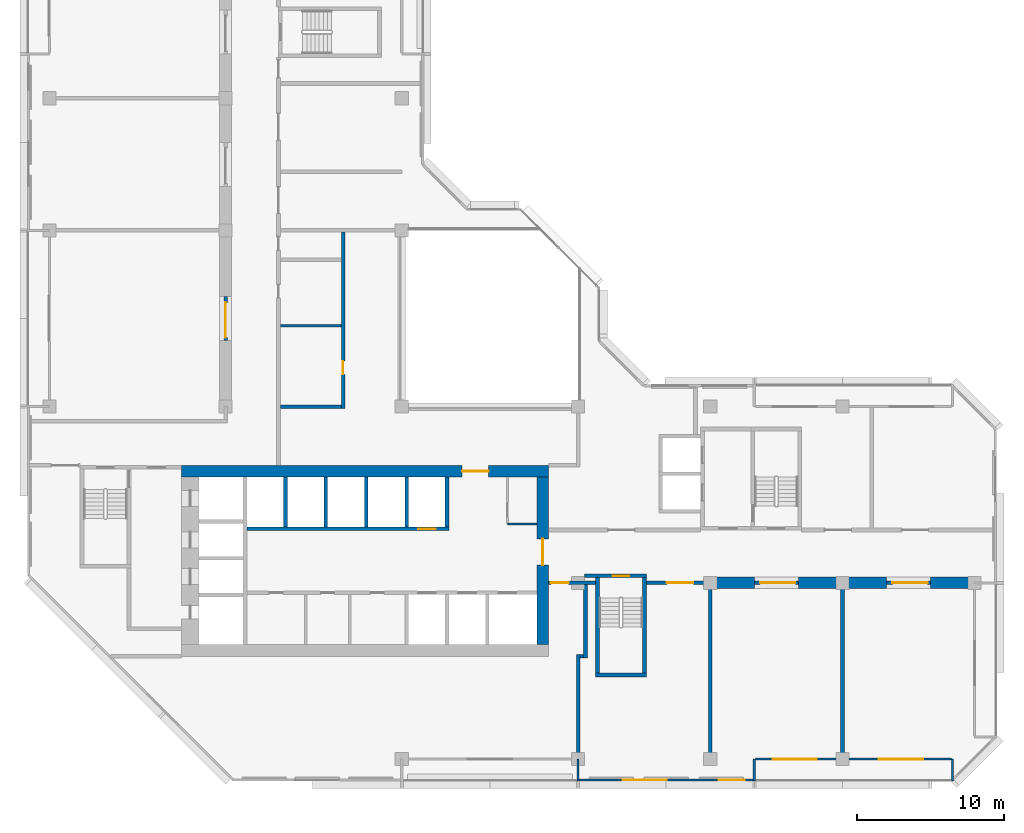
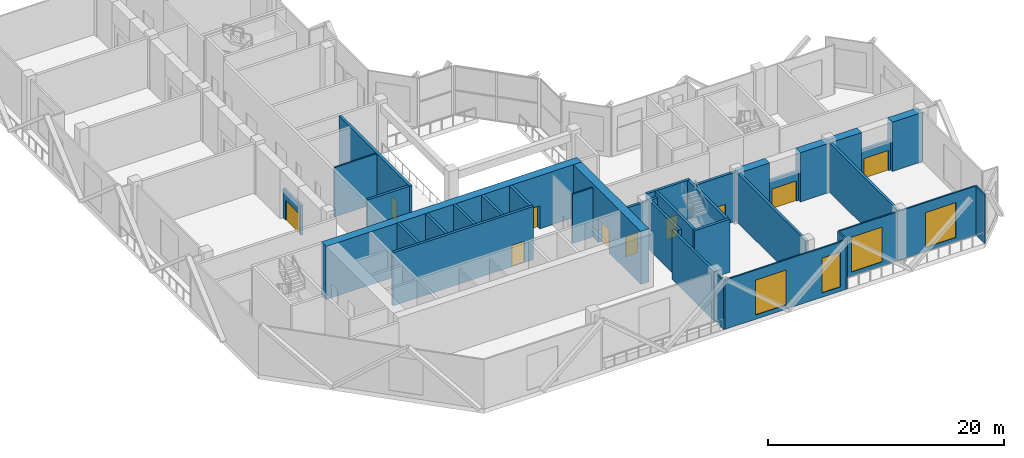
# One storey, part 5 of 11: 35 walls, 10 doors, 4 windows, 14 openings.
"""IFC4 building model written with IfcOpenShell, lengths in metres."""

from ifc_helpers import new_model, si_unit, direction, frame, frame_2d, origin, place, context, subcontext, project, spatial, rectangle, extrude, material, layer, layer_set, type_object, element, fill, save


model = new_model("IFC4")

# Units and contexts
model_context = context("Model", 3, precision=1e-05, world=origin(), true_north=direction((0.0, 1.0)))
body_context = subcontext(model_context, "Body", "Model", "MODEL_VIEW")
ifc_project = project(units=[si_unit("LENGTHUNIT", "METRE"), si_unit("AREAUNIT", "SQUARE_METRE"), si_unit("VOLUMEUNIT", "CUBIC_METRE"), si_unit("PLANEANGLEUNIT", "RADIAN"), si_unit("MASSUNIT", "GRAM", prefix="KILO")], contexts=[model_context])

# Site, building, storey
site_placement = place(None, origin())
site = spatial("IfcSite", under=ifc_project, at=site_placement, CompositionType="ELEMENT")
building_placement = place(site_placement, origin())
building = spatial("IfcBuilding", under=site, at=building_placement, Name="Chenar Terraces", CompositionType="ELEMENT")
storey_placement = place(building_placement, frame((0.0, 0.0, 206.14990234375)))
storey = spatial("IfcBuildingStorey", under=building, at=storey_placement, Name="L48", CompositionType="ELEMENT", Elevation=206.14990234375)

# Walls
ifc_material_1 = material(Name="Concrete C60/75", Category="concrete")
ifc_layer_1 = layer(ifc_material_1, 0.800048828125)
ifc_layer_set_1 = layer_set([ifc_layer_1], Name="Concrete C60/75")
wall_type_1 = type_object("IfcWallType", Name="Belt wall 800 Concrete C60/75", PredefinedType="SHEAR", material=ifc_layer_set_1)
wall_1_placement = place(storey_placement, frame((45.0, 12.0, 0.0), z_axis=(0.0, 0.0, 1.0), x_axis=(1.0, 0.0, 0.0)))
element("IfcWall", 1, at=wall_1_placement, inside=storey, type_object=wall_type_1, Name="Belt wall L48 A1", PredefinedType="SHEAR", context=body_context, shape_type="SweptSolid", body=[
    extrude(rectangle(XDim=3.0, YDim=0.800048828125, at=frame_2d((1.5, 0.0))), origin(), (0.0, 0.0, 1.0), 5.10009765625),
])
wall_2_placement = place(storey_placement, frame((51.0, 12.0, 0.0), z_axis=(0.0, 0.0, 1.0), x_axis=(1.0, 0.0, 0.0)))
element("IfcWall", 2, at=wall_2_placement, inside=storey, type_object=wall_type_1, Name="Belt wall L48 A1", PredefinedType="SHEAR", context=body_context, shape_type="SweptSolid", body=[
    extrude(rectangle(XDim=3.0, YDim=0.800048828125, at=frame_2d((1.5, 0.0))), origin(), (0.0, 0.0, 1.0), 5.10009765625),
])
wall_3_placement = place(storey_placement, frame((54.0, 12.0, 0.0), z_axis=(0.0, 0.0, 1.0), x_axis=(1.0, 0.0, 0.0)))
element("IfcWall", 3, at=wall_3_placement, inside=storey, type_object=wall_type_1, Name="Belt wall L48 A2", PredefinedType="SHEAR", context=body_context, shape_type="SweptSolid", body=[
    extrude(rectangle(XDim=3.0, YDim=0.800048828125, at=frame_2d((1.5, 0.0))), origin(), (0.0, 0.0, 1.0), 5.10009765625),
])
wall_4_placement = place(storey_placement, frame((60.0, 12.0, 0.0), z_axis=(0.0, 0.0, 1.0), x_axis=(1.0, 0.0, 0.0)))
element("IfcWall", 4, at=wall_4_placement, inside=storey, type_object=wall_type_1, Name="Belt wall L48 A2", PredefinedType="SHEAR", context=body_context, shape_type="SweptSolid", body=[
    extrude(rectangle(XDim=3.0, YDim=0.800048828125, at=frame_2d((1.5, 0.0))), origin(), (0.0, 0.0, 1.0), 5.10009765625),
])
ifc_material_2 = material(Name="Gypsum board on steel studs", Category="steel")
ifc_layer_2 = layer(ifc_material_2, 0.14990234375)
ifc_layer_set_2 = layer_set([ifc_layer_2], Name="Gypsum board on steel studs")
wall_type_2 = type_object("IfcWallType", Name="Core partition 150 gypsum board", PredefinedType="PARTITIONING", material=ifc_layer_set_2)
wall_5_placement = place(storey_placement, frame((31.199951171875, 16.0, 0.0), z_axis=(0.0, 0.0, 1.0), x_axis=(1.0, 0.0, 0.0)))
element("IfcWall", 5, at=wall_5_placement, inside=storey, type_object=wall_type_2, Name="Core partition CP1 vestibule room south wall", PredefinedType="PARTITIONING", context=body_context, shape_type="SweptSolid", body=[
    extrude(rectangle(XDim=2.0, YDim=0.14990234375, at=frame_2d((1.0, 0.0))), origin(), (0.0, 0.0, 1.0), 5.10009765625),
])

# Wall, opening, door
ifc_material_3 = material(Name="Concrete C60/75", Category="concrete")
ifc_layer_3 = layer(ifc_material_3, 0.25)
ifc_layer_set_3 = layer_set([ifc_layer_3], Name="Concrete C60/75")
wall_type_3 = type_object("IfcWallType", Name="Core wall 250 Concrete C60/75", PredefinedType="SHEAR", material=ifc_layer_set_3)
wall_6_placement = place(storey_placement, frame((13.449951171875, 15.675048828125, 0.0), z_axis=(0.0, 0.0, 1.0), x_axis=(1.0, 0.0, 0.0)))
wall_6 = element("IfcWall", 6, at=wall_6_placement, inside=storey, type_object=wall_type_3, Name="Core wall NF L48", PredefinedType="SHEAR", context=body_context, shape_type="SweptSolid", body=[
    extrude(rectangle(XDim=13.75, YDim=0.25, at=frame_2d((6.875, 0.0))), origin(), (0.0, 0.0, 1.0), 5.5),
])
opening_1_placement = place(wall_6_placement, frame((11.64990234375, 0.0, 0.0)))
opening_1 = element("IfcOpeningElement", 7, at=opening_1_placement, cuts=wall_6, Name="Opening DL48-LD4", PredefinedType="OPENING", context=body_context, shape_type="SweptSolid", body=[
    extrude(rectangle(XDim=1.199951171875, YDim=2.199951171875, at=frame_2d((0.60009765625, 1.10009765625))), frame((0.0, 0.135009765625, 0.0), z_axis=(0.0, -1.0, 0.0), x_axis=(1.0, 0.0, 0.0)), (0.0, 0.0, 1.0), 0.27001953125),
])
ifc_material_4 = material(Name="Stainless steel", Category="steel")
door_type_1 = type_object("IfcDoorType", Name="Lift landing door 1200 x 2200 sliding", OperationType="DOUBLE_DOOR_SLIDING", PredefinedType="DOOR", material=ifc_material_4)
door_1_placement = place(opening_1_placement, origin())
door_1 = element("IfcDoor", 8, at=door_1_placement, inside=storey, type_object=door_type_1, Name="Landing door M4", OperationType="DOUBLE_DOOR_SLIDING", OverallHeight=2.199951171875, OverallWidth=1.199951171875, PredefinedType="DOOR", context=body_context, shape_type="SweptSolid", body=[
    extrude(rectangle(XDim=1.199951171875, YDim=2.199951171875, at=frame_2d((0.60009765625, 1.10009765625))), frame((0.0, 0.02490234375, 0.0), z_axis=(0.0, -1.0, 0.0), x_axis=(1.0, 0.0, 0.0)), (0.0, 0.0, 1.0), 0.050048828125),
])
fill(opening_1, door_1)

# Walls
for number, where, z_axis, x_axis, name in (
    (9, (16.074951171875, 15.800048828125, 0.0), (0.0, 0.0, 1.0), (0.0, 1.0, 0.0), "Core wall NS0 L48"),
    (10, (18.824951171875, 15.800048828125, 0.0), (0.0, 0.0, 1.0), (0.0, 1.0, 0.0), "Core wall NS1 L48"),
    (11, (21.574951171875, 15.800048828125, 0.0), (0.0, 0.0, 1.0), (0.0, 1.0, 0.0), "Core wall NS2 L48"),
    (12, (24.324951171875, 15.800048828125, 0.0), (0.0, 0.0, 1.0), (0.0, 1.0, 0.0), "Core wall NS3 L48"),
    (13, (27.074951171875, 15.800048828125, 0.0), (0.0, 0.0, 1.0), (0.0, 1.0, 0.0), "Core wall NE L48"),
):
    element("IfcWall", number, at=place(storey_placement, frame(where, z_axis=z_axis, x_axis=x_axis)), inside=storey, type_object=wall_type_3, Name=name, PredefinedType="SHEAR", context=body_context, shape_type="SweptSolid", body=[
        extrude(rectangle(XDim=3.39990234375, YDim=0.25, at=frame_2d((1.699951171875, 0.0))), origin(), (0.0, 0.0, 1.0), 5.5),
    ])
wall_7_placement = place(storey_placement, frame((37.199951171875, 5.72509765625, 0.0), z_axis=(0.0, 0.0, 1.0), x_axis=(1.0, 0.0, 0.0)))
element("IfcWall", 14, at=wall_7_placement, inside=storey, type_object=wall_type_3, Name="Core wall ST2_S L48", PredefinedType="SHEAR", context=body_context, shape_type="SweptSolid", body=[
    extrude(rectangle(XDim=3.449951171875, YDim=0.25, at=frame_2d((1.72509765625, 0.0))), origin(), (0.0, 0.0, 1.0), 5.5),
])

# Wall, opening, door
wall_8_placement = place(storey_placement, frame((36.449951171875, 12.47509765625, 0.0), z_axis=(0.0, 0.0, 1.0), x_axis=(1.0, 0.0, 0.0)))
wall_8 = element("IfcWall", 15, at=wall_8_placement, inside=storey, type_object=wall_type_3, Name="Core wall ST2_N L48", PredefinedType="SHEAR", context=body_context, shape_type="SweptSolid", body=[
    extrude(rectangle(XDim=4.199951171875, YDim=0.25, at=frame_2d((2.10009765625, 0.0))), origin(), (0.0, 0.0, 1.0), 5.5),
])
opening_2_placement = place(wall_8_placement, frame((1.925048828125, 0.0, 0.0)))
opening_2 = element("IfcOpeningElement", 16, at=opening_2_placement, cuts=wall_8, Name="Opening DL48-C7", PredefinedType="OPENING", context=body_context, shape_type="SweptSolid", body=[
    extrude(rectangle(XDim=1.10009765625, YDim=2.199951171875, at=frame_2d((0.550048828125, 1.10009765625))), frame((0.0, 0.135009765625, 0.0), z_axis=(0.0, -1.0, 0.0), x_axis=(1.0, 0.0, 0.0)), (0.0, 0.0, 1.0), 0.27001953125),
])
ifc_material_5 = material(Name="Steel-framed fire-resisting door leaf", Category="steel")
door_type_2 = type_object("IfcDoorType", Name="Stair fire door FD60 1100 x 2200", OperationType="SINGLE_SWING_LEFT", PredefinedType="DOOR", material=ifc_material_5)
door_2_placement = place(opening_2_placement, frame((1.10009765625, 0.0, 0.0), z_axis=(0.0, 0.0, 1.0), x_axis=(-1.0, 0.0, 0.0)))
door_2 = element("IfcDoor", 17, at=door_2_placement, inside=storey, type_object=door_type_2, Name="Stair door DL48-C7", OperationType="SINGLE_SWING_RIGHT", OverallHeight=2.199951171875, OverallWidth=1.10009765625, PredefinedType="DOOR", context=body_context, shape_type="SweptSolid", body=[
    extrude(rectangle(XDim=1.10009765625, YDim=2.199951171875, at=frame_2d((0.550048828125, 1.10009765625))), frame((0.0, 0.02490234375, 0.0), z_axis=(0.0, -1.0, 0.0), x_axis=(1.0, 0.0, 0.0)), (0.0, 0.0, 1.0), 0.050048828125),
])
fill(opening_2, door_2)

# Walls
for number, where, z_axis, x_axis, name in (
    (18, (37.324951171875, 5.85009765625, 0.0), (0.0, 0.0, 1.0), (0.0, 1.0, 0.0), "Core wall ST2_W L48"),
    (19, (40.52490234375, 5.85009765625, 0.0), (0.0, 0.0, 1.0), (0.0, 1.0, 0.0), "Core wall ST2_E L48"),
):
    element("IfcWall", number, at=place(storey_placement, frame(where, z_axis=z_axis, x_axis=x_axis)), inside=storey, type_object=wall_type_3, Name=name, PredefinedType="SHEAR", context=body_context, shape_type="SweptSolid", body=[
        extrude(rectangle(XDim=6.5, YDim=0.25, at=frame_2d((3.25, 0.0))), origin(), (0.0, 0.0, 1.0), 5.5),
    ])

# Wall, opening, door
ifc_material_6 = material(Name="Concrete C60/75", Category="concrete")
ifc_layer_4 = layer(ifc_material_6, 0.800048828125)
ifc_layer_set_4 = layer_set([ifc_layer_4], Name="Concrete C60/75")
wall_type_4 = type_object("IfcWallType", Name="Core wall 800 Concrete C60/75", PredefinedType="SHEAR", material=ifc_layer_set_4)
wall_9_placement = place(storey_placement, frame((9.0, 19.60009765625, 0.0), z_axis=(0.0, 0.0, 1.0), x_axis=(1.0, 0.0, 0.0)))
wall_9 = element("IfcWall", 20, at=wall_9_placement, inside=storey, type_object=wall_type_4, Name="Core wall N L48", PredefinedType="SHEAR", context=body_context, shape_type="SweptSolid", body=[
    extrude(rectangle(XDim=25.0, YDim=0.800048828125, at=frame_2d((12.5, 0.0))), origin(), (0.0, 0.0, 1.0), 5.5),
])
opening_3_placement = place(wall_9_placement, frame((19.10009765625, 0.0, 0.0)))
opening_3 = element("IfcOpeningElement", 21, at=opening_3_placement, cuts=wall_9, Name="Opening DL48-C2", PredefinedType="OPENING", context=body_context, shape_type="SweptSolid", body=[
    extrude(rectangle(XDim=1.800048828125, YDim=2.39990234375, at=frame_2d((0.89990234375, 1.199951171875))), frame((0.0, 0.409912109375, 0.0), z_axis=(0.0, -1.0, 0.0), x_axis=(1.0, 0.0, 0.0)), (0.0, 0.0, 1.0), 0.820068359375),
])
ifc_material_7 = material(Name="Steel-framed fire-resisting door leaf", Category="steel")
door_type_3 = type_object("IfcDoorType", Name="Core entrance double fire door FD60 1800 x 2400", OperationType="DOUBLE_DOOR_SINGLE_SWING", PredefinedType="DOOR", material=ifc_material_7)
door_3_placement = place(opening_3_placement, frame((1.800048828125, 0.0, 0.0), z_axis=(0.0, 0.0, 1.0), x_axis=(-1.0, 0.0, 0.0)))
door_3 = element("IfcDoor", 22, at=door_3_placement, inside=storey, type_object=door_type_3, Name="Core door DL48-C2", OperationType="DOUBLE_DOOR_SINGLE_SWING", OverallHeight=2.39990234375, OverallWidth=1.800048828125, PredefinedType="DOOR", context=body_context, shape_type="SweptSolid", body=[
    extrude(rectangle(XDim=1.800048828125, YDim=2.39990234375, at=frame_2d((0.89990234375, 1.199951171875))), frame((0.0, 0.02490234375, 0.0), z_axis=(0.0, -1.0, 0.0), x_axis=(1.0, 0.0, 0.0)), (0.0, 0.0, 1.0), 0.050048828125),
])
fill(opening_3, door_3)

wall_10_placement = place(storey_placement, frame((33.60009765625, 7.800048828125, 0.0), z_axis=(0.0, 0.0, 1.0), x_axis=(0.0, 1.0, 0.0)))
wall_10 = element("IfcWall", 23, at=wall_10_placement, inside=storey, type_object=wall_type_4, Name="Core wall E L48", PredefinedType="SHEAR", context=body_context, shape_type="SweptSolid", body=[
    extrude(rectangle(XDim=11.39990234375, YDim=0.800048828125, at=frame_2d((5.699951171875, 0.0))), origin(), (0.0, 0.0, 1.0), 5.5),
])
opening_4_placement = place(wall_10_placement, frame((5.39990234375, 0.0, 0.0)))
opening_4 = element("IfcOpeningElement", 24, at=opening_4_placement, cuts=wall_10, Name="Opening DL48-C1", PredefinedType="OPENING", context=body_context, shape_type="SweptSolid", body=[
    extrude(rectangle(XDim=1.800048828125, YDim=2.39990234375, at=frame_2d((0.89990234375, 1.199951171875))), frame((0.0, 0.409912109375, 0.0), z_axis=(0.0, -1.0, 0.0), x_axis=(1.0, 0.0, 0.0)), (0.0, 0.0, 1.0), 0.820068359375),
])
door_4_placement = place(opening_4_placement, origin())
door_4 = element("IfcDoor", 25, at=door_4_placement, inside=storey, type_object=door_type_3, Name="Core door DL48-C1", OperationType="DOUBLE_DOOR_SINGLE_SWING", OverallHeight=2.39990234375, OverallWidth=1.800048828125, PredefinedType="DOOR", context=body_context, shape_type="SweptSolid", body=[
    extrude(rectangle(XDim=1.800048828125, YDim=2.39990234375, at=frame_2d((0.89990234375, 1.199951171875))), frame((0.0, 0.02490234375, 0.0), z_axis=(0.0, -1.0, 0.0), x_axis=(1.0, 0.0, 0.0)), (0.0, 0.0, 1.0), 0.050048828125),
])
fill(opening_4, door_4)

# Wall, openings, windows
ifc_material_8 = material(Name="Aluminium framed glazing", Category="aluminium")
ifc_layer_5 = layer(ifc_material_8, 0.14990234375)
ifc_layer_set_5 = layer_set([ifc_layer_5], Name="Aluminium framed glazing")
wall_type_5 = type_object("IfcWallType", Name="Glazed flush facade wall 150", PredefinedType="SOLIDWALL", material=ifc_layer_set_5)
wall_11_placement = place(storey_placement, frame((36.074951171875, -1.425048828125, 0.0), z_axis=(0.0, 0.0, 1.0), x_axis=(1.0, 0.0, 0.0)))
wall_11 = element("IfcWall", 26, at=wall_11_placement, inside=storey, type_object=wall_type_5, Name="Glazed flush facade wall", PredefinedType="SOLIDWALL", context=body_context, shape_type="SweptSolid", body=[
    extrude(rectangle(XDim=11.85009765625, YDim=0.14990234375, at=frame_2d((5.925048828125, 0.0))), origin(), (0.0, 0.0, 1.0), 5.10009765625),
])
opening_5_placement = place(wall_11_placement, frame((2.96240234375, 0.0, 0.449951171875)))
opening_5 = element("IfcOpeningElement", 27, at=opening_5_placement, cuts=wall_11, Name="Opening W300x360", PredefinedType="OPENING", context=body_context, shape_type="SweptSolid", body=[
    extrude(rectangle(XDim=3.0, YDim=3.60009765625, at=frame_2d((1.5, 1.800048828125))), frame((0.0, 0.0849609375, 0.0), z_axis=(0.0, -1.0, 0.0), x_axis=(1.0, 0.0, 0.0)), (0.0, 0.0, 1.0), 0.169921875),
])
opening_6_placement = place(wall_11_placement, frame((9.487548828125, 0.0, 0.449951171875)))
opening_6 = element("IfcOpeningElement", 28, at=opening_6_placement, cuts=wall_11, Name="Opening W180x360", PredefinedType="OPENING", context=body_context, shape_type="SweptSolid", body=[
    extrude(rectangle(XDim=1.800048828125, YDim=3.60009765625, at=frame_2d((0.89990234375, 1.800048828125))), frame((0.0, 0.0849609375, 0.0), z_axis=(0.0, -1.0, 0.0), x_axis=(1.0, 0.0, 0.0)), (0.0, 0.0, 1.0), 0.169921875),
])
ifc_material_9 = material(Name="Low emissivity double glazing, aluminium frame", Category="aluminium")
window_type_1 = type_object("IfcWindowType", Name="Fixed light 1800 x 3600", PartitioningType="SINGLE_PANEL", PredefinedType="WINDOW", material=ifc_material_9)
window_1_placement = place(opening_6_placement, origin())
window_1 = element("IfcWindow", 29, at=window_1_placement, inside=storey, type_object=window_type_1, Name="Window", OverallHeight=3.60009765625, OverallWidth=1.800048828125, PartitioningType="SINGLE_PANEL", PredefinedType="WINDOW", context=body_context, shape_type="SweptSolid", body=[
    extrude(rectangle(XDim=1.800048828125, YDim=3.60009765625, at=frame_2d((0.89990234375, 1.800048828125))), frame((0.0, 0.030029296875, 0.0), z_axis=(0.0, -1.0, 0.0), x_axis=(1.0, 0.0, 0.0)), (0.0, 0.0, 1.0), 0.06005859375),
])
fill(opening_6, window_1)
ifc_material_10 = material(Name="Low emissivity double glazing, aluminium frame", Category="aluminium")
window_type_2 = type_object("IfcWindowType", Name="Fixed light 3000 x 3600", PartitioningType="SINGLE_PANEL", PredefinedType="WINDOW", material=ifc_material_10)
window_2_placement = place(opening_5_placement, origin())
window_2 = element("IfcWindow", 30, at=window_2_placement, inside=storey, type_object=window_type_2, Name="Window", OverallHeight=3.60009765625, OverallWidth=3.0, PartitioningType="SINGLE_PANEL", PredefinedType="WINDOW", context=body_context, shape_type="SweptSolid", body=[
    extrude(rectangle(XDim=3.0, YDim=3.60009765625, at=frame_2d((1.5, 1.800048828125))), frame((0.0, 0.030029296875, 0.0), z_axis=(0.0, -1.0, 0.0), x_axis=(1.0, 0.0, 0.0)), (0.0, 0.0, 1.0), 0.06005859375),
])
fill(opening_5, window_2)

ifc_material_11 = material(Name="Aluminium framed glazing", Category="aluminium")
ifc_layer_6 = layer(ifc_material_11, 0.14990234375)
ifc_layer_set_6 = layer_set([ifc_layer_6], Name="Aluminium framed glazing")
wall_type_6 = type_object("IfcWallType", Name="Glazed loggia back wall 150", PredefinedType="SOLIDWALL", material=ifc_layer_set_6)
wall_12_placement = place(storey_placement, frame((48.074951171875, 0.0, 0.0), z_axis=(0.0, 0.0, 1.0), x_axis=(1.0, 0.0, 0.0)))
wall_12 = element("IfcWall", 31, at=wall_12_placement, inside=storey, type_object=wall_type_6, Name="Glazed loggia back wall", PredefinedType="SOLIDWALL", context=body_context, shape_type="SweptSolid", body=[
    extrude(rectangle(XDim=13.35009765625, YDim=0.14990234375, at=frame_2d((6.675048828125, 0.0))), origin(), (0.0, 0.0, 1.0), 5.10009765625),
])
opening_7_placement = place(wall_12_placement, frame((1.1875, 0.0, 0.449951171875)))
opening_7 = element("IfcOpeningElement", 32, at=opening_7_placement, cuts=wall_12, Name="Opening W300x360", PredefinedType="OPENING", context=body_context, shape_type="SweptSolid", body=[
    extrude(rectangle(XDim=3.0, YDim=3.60009765625, at=frame_2d((1.5, 1.800048828125))), frame((0.0, 0.0849609375, 0.0), z_axis=(0.0, -1.0, 0.0), x_axis=(1.0, 0.0, 0.0)), (0.0, 0.0, 1.0), 0.169921875),
])
opening_8_placement = place(wall_12_placement, frame((8.41259765625, 0.0, 0.449951171875)))
opening_8 = element("IfcOpeningElement", 33, at=opening_8_placement, cuts=wall_12, Name="Opening W300x360", PredefinedType="OPENING", context=body_context, shape_type="SweptSolid", body=[
    extrude(rectangle(XDim=3.0, YDim=3.60009765625, at=frame_2d((1.5, 1.800048828125))), frame((0.0, 0.0849609375, 0.0), z_axis=(0.0, -1.0, 0.0), x_axis=(1.0, 0.0, 0.0)), (0.0, 0.0, 1.0), 0.169921875),
])
window_3_placement = place(opening_7_placement, origin())
window_3 = element("IfcWindow", 34, at=window_3_placement, inside=storey, type_object=window_type_2, Name="Window", OverallHeight=3.60009765625, OverallWidth=3.0, PartitioningType="SINGLE_PANEL", PredefinedType="WINDOW", context=body_context, shape_type="SweptSolid", body=[
    extrude(rectangle(XDim=3.0, YDim=3.60009765625, at=frame_2d((1.5, 1.800048828125))), frame((0.0, 0.030029296875, 0.0), z_axis=(0.0, -1.0, 0.0), x_axis=(1.0, 0.0, 0.0)), (0.0, 0.0, 1.0), 0.06005859375),
])
fill(opening_7, window_3)
window_4_placement = place(opening_8_placement, origin())
window_4 = element("IfcWindow", 35, at=window_4_placement, inside=storey, type_object=window_type_2, Name="Window", OverallHeight=3.60009765625, OverallWidth=3.0, PartitioningType="SINGLE_PANEL", PredefinedType="WINDOW", context=body_context, shape_type="SweptSolid", body=[
    extrude(rectangle(XDim=3.0, YDim=3.60009765625, at=frame_2d((1.5, 1.800048828125))), frame((0.0, 0.030029296875, 0.0), z_axis=(0.0, -1.0, 0.0), x_axis=(1.0, 0.0, 0.0)), (0.0, 0.0, 1.0), 0.06005859375),
])
fill(opening_8, window_4)

# Walls
ifc_material_12 = material(Name="Terracotta cladding on insulated backing", Category="masonry")
ifc_layer_7 = layer(ifc_material_12, 0.14990234375)
ifc_layer_set_7 = layer_set([ifc_layer_7], Name="Terracotta cladding on insulated backing")
wall_type_7 = type_object("IfcWallType", Name="Loggia return wall 150", PredefinedType="SOLIDWALL", material=ifc_layer_set_7)
for number, where, z_axis, x_axis, name in (
    (36, (36.0, -1.5, 0.0), (0.0, 0.0, 1.0), (0.0, 1.0, 0.0), "Loggia return wall"),
    (37, (48.0, -1.5, 0.0), (0.0, 0.0, 1.0), (0.0, 1.0, 0.0), "Loggia return wall"),
    (38, (61.5, -1.5, 0.0), (0.0, 0.0, 1.0), (0.0, 1.0, 0.0), "Loggia return wall"),
):
    element("IfcWall", number, at=place(storey_placement, frame(where, z_axis=z_axis, x_axis=x_axis)), inside=storey, type_object=wall_type_7, Name=name, PredefinedType="SOLIDWALL", context=body_context, shape_type="SweptSolid", body=[
        extrude(rectangle(XDim=1.5, YDim=0.14990234375, at=frame_2d((0.75, 0.0))), origin(), (0.0, 0.0, 1.0), 5.10009765625),
    ])

# Wall, opening, door
ifc_material_13 = material(Name="Fire-board and steel stud wall with mineral wool", Category="steel")
ifc_layer_8 = layer(ifc_material_13, 0.25)
ifc_layer_set_8 = layer_set([ifc_layer_8], Name="Fire-board and steel stud wall with mineral wool")
wall_type_8 = type_object("IfcWallType", Name="Refuge compartment wall 250", PredefinedType="PARTITIONING", material=ifc_layer_set_8)
wall_13_placement = place(storey_placement, frame((12.0, 28.4990234375, 0.0), z_axis=(0.0, 0.0, 1.0), x_axis=(0.0, 1.0, 0.0)))
wall_13 = element("IfcWall", 39, at=wall_13_placement, inside=storey, type_object=wall_type_8, Name="Partition L48-008", PredefinedType="PARTITIONING", context=body_context, shape_type="SweptSolid", body=[
    extrude(rectangle(XDim=3.001953125, YDim=0.25, at=frame_2d((1.5009765625, 0.0))), origin(), (0.0, 0.0, 1.0), 3.050048828125),
])
opening_9_placement = place(wall_13_placement, frame((0.200927734375, 0.0, 0.0)))
opening_9 = element("IfcOpeningElement", 40, at=opening_9_placement, cuts=wall_13, Name="Opening DL48-12", PredefinedType="OPENING", context=body_context, shape_type="SweptSolid", body=[
    extrude(rectangle(XDim=2.39990234375, YDim=2.10009765625, at=frame_2d((1.199951171875, 1.050048828125))), frame((0.0, 0.135009765625, 0.0), z_axis=(0.0, -1.0, 0.0), x_axis=(1.0, 0.0, 0.0)), (0.0, 0.0, 1.0), 0.27001953125),
])
ifc_material_14 = material(Name="Steel-framed fire-resisting door leaf", Category="steel")
door_type_4 = type_object("IfcDoorType", Name="Fire double door FD120 2400 x 2100", OperationType="DOUBLE_DOOR_SINGLE_SWING", PredefinedType="DOOR", material=ifc_material_14)
door_5_placement = place(opening_9_placement, origin())
door_5 = element("IfcDoor", 41, at=door_5_placement, inside=storey, type_object=door_type_4, Name="Door DL48-12", OperationType="DOUBLE_DOOR_SINGLE_SWING", OverallHeight=2.10009765625, OverallWidth=2.39990234375, PredefinedType="DOOR", context=body_context, shape_type="SweptSolid", body=[
    extrude(rectangle(XDim=2.39990234375, YDim=2.10009765625, at=frame_2d((1.199951171875, 1.050048828125))), frame((0.0, 0.02490234375, 0.0), z_axis=(0.0, -1.0, 0.0), x_axis=(1.0, 0.0, 0.0)), (0.0, 0.0, 1.0), 0.050048828125),
])
fill(opening_9, door_5)

# Wall
wall_14_placement = place(storey_placement, frame((15.72509765625, 24.0, 0.0), z_axis=(0.0, 0.0, 1.0), x_axis=(1.0, 0.0, 0.0)))
element("IfcWall", 42, at=wall_14_placement, inside=storey, type_object=wall_type_8, Name="Partition L48-017", PredefinedType="PARTITIONING", context=body_context, shape_type="SweptSolid", body=[
    extrude(rectangle(XDim=4.14990234375, YDim=0.25, at=frame_2d((2.074951171875, 0.0))), origin(), (0.0, 0.0, 1.0), 5.10009765625),
])

# Wall, opening, door
wall_15_placement = place(storey_placement, frame((20.0, 23.875, 0.0), z_axis=(0.0, 0.0, 1.0), x_axis=(0.0, 1.0, 0.0)))
wall_15 = element("IfcWall", 43, at=wall_15_placement, inside=storey, type_object=wall_type_8, Name="Partition L48-025", PredefinedType="PARTITIONING", context=body_context, shape_type="SweptSolid", body=[
    extrude(rectangle(XDim=12.0, YDim=0.25, at=frame_2d((6.0, 0.0))), origin(), (0.0, 0.0, 1.0), 5.10009765625),
])
opening_10_placement = place(wall_15_placement, frame((2.324951171875, 0.0, 0.0)))
opening_10 = element("IfcOpeningElement", 44, at=opening_10_placement, cuts=wall_15, Name="Opening DL48-21", PredefinedType="OPENING", context=body_context, shape_type="SweptSolid", body=[
    extrude(rectangle(XDim=0.89990234375, YDim=2.10009765625, at=frame_2d((0.449951171875, 1.050048828125))), frame((0.0, 0.135009765625, 0.0), z_axis=(0.0, -1.0, 0.0), x_axis=(1.0, 0.0, 0.0)), (0.0, 0.0, 1.0), 0.27001953125),
])
ifc_material_15 = material(Name="Steel-framed fire-resisting door leaf", Category="steel")
door_type_5 = type_object("IfcDoorType", Name="Fire door FD120 900 x 2100", OperationType="SINGLE_SWING_LEFT", PredefinedType="DOOR", material=ifc_material_15)
door_6_placement = place(opening_10_placement, origin())
door_6 = element("IfcDoor", 45, at=door_6_placement, inside=storey, type_object=door_type_5, Name="Door DL48-21", OperationType="SINGLE_SWING_LEFT", OverallHeight=2.10009765625, OverallWidth=0.89990234375, PredefinedType="DOOR", context=body_context, shape_type="SweptSolid", body=[
    extrude(rectangle(XDim=0.89990234375, YDim=2.10009765625, at=frame_2d((0.449951171875, 1.050048828125))), frame((0.0, 0.02490234375, 0.0), z_axis=(0.0, -1.0, 0.0), x_axis=(1.0, 0.0, 0.0)), (0.0, 0.0, 1.0), 0.050048828125),
])
fill(opening_10, door_6)

wall_16_placement = place(storey_placement, frame((34.0, 12.0, 0.0), z_axis=(0.0, 0.0, 1.0), x_axis=(1.0, 0.0, 0.0)))
wall_16 = element("IfcWall", 46, at=wall_16_placement, inside=storey, type_object=wall_type_8, Name="Partition L48-026", PredefinedType="PARTITIONING", context=body_context, shape_type="SweptSolid", body=[
    extrude(rectangle(XDim=3.199951171875, YDim=0.25, at=frame_2d((1.60009765625, 0.0))), origin(), (0.0, 0.0, 1.0), 5.10009765625),
])
opening_11_placement = place(wall_16_placement, frame((0.14990234375, 0.0, 0.0)))
opening_11 = element("IfcOpeningElement", 47, at=opening_11_placement, cuts=wall_16, Name="Opening DL48-18", PredefinedType="OPENING", context=body_context, shape_type="SweptSolid", body=[
    extrude(rectangle(XDim=1.199951171875, YDim=2.10009765625, at=frame_2d((0.60009765625, 1.050048828125))), frame((0.0, 0.135009765625, 0.0), z_axis=(0.0, -1.0, 0.0), x_axis=(1.0, 0.0, 0.0)), (0.0, 0.0, 1.0), 0.27001953125),
])
ifc_material_16 = material(Name="Steel-framed fire-resisting door leaf", Category="steel")
door_type_6 = type_object("IfcDoorType", Name="Fire door FD120 1200 x 2100", OperationType="SINGLE_SWING_LEFT", PredefinedType="DOOR", material=ifc_material_16)
door_7_placement = place(opening_11_placement, frame((1.199951171875, 0.0, 0.0), z_axis=(0.0, 0.0, 1.0), x_axis=(-1.0, 0.0, 0.0)))
door_7 = element("IfcDoor", 48, at=door_7_placement, inside=storey, type_object=door_type_6, Name="Door DL48-18", OperationType="SINGLE_SWING_LEFT", OverallHeight=2.10009765625, OverallWidth=1.199951171875, PredefinedType="DOOR", context=body_context, shape_type="SweptSolid", body=[
    extrude(rectangle(XDim=1.199951171875, YDim=2.10009765625, at=frame_2d((0.60009765625, 1.050048828125))), frame((0.0, 0.02490234375, 0.0), z_axis=(0.0, -1.0, 0.0), x_axis=(1.0, 0.0, 0.0)), (0.0, 0.0, 1.0), 0.050048828125),
])
fill(opening_11, door_7)

# Walls
wall_17_placement = place(storey_placement, frame((36.0, 0.0, 0.0), z_axis=(0.0, 0.0, 1.0), x_axis=(0.0, 1.0, 0.0)))
element("IfcWall", 49, at=wall_17_placement, inside=storey, type_object=wall_type_8, Name="Partition L48-029", PredefinedType="PARTITIONING", context=body_context, shape_type="SweptSolid", body=[
    extrude(rectangle(XDim=7.125, YDim=0.25, at=frame_2d((3.5625, 0.0))), origin(), (0.0, 0.0, 1.0), 5.10009765625),
])
wall_18_placement = place(storey_placement, frame((36.125, 7.0, 0.0), z_axis=(0.0, 0.0, 1.0), x_axis=(1.0, 0.0, 0.0)))
element("IfcWall", 50, at=wall_18_placement, inside=storey, type_object=wall_type_8, Name="Partition L48-031", PredefinedType="PARTITIONING", context=body_context, shape_type="SweptSolid", body=[
    extrude(rectangle(XDim=0.25, YDim=0.25, at=frame_2d((0.125, 0.0))), origin(), (0.0, 0.0, 1.0), 5.10009765625),
])
wall_19_placement = place(storey_placement, frame((36.5, 6.875, 0.0), z_axis=(0.0, 0.0, 1.0), x_axis=(0.0, 1.0, 0.0)))
element("IfcWall", 51, at=wall_19_placement, inside=storey, type_object=wall_type_8, Name="Partition L48-032", PredefinedType="PARTITIONING", context=body_context, shape_type="SweptSolid", body=[
    extrude(rectangle(XDim=5.0, YDim=0.25, at=frame_2d((2.5, 0.0))), origin(), (0.0, 0.0, 1.0), 5.10009765625),
])

# Wall, opening, door
wall_20_placement = place(storey_placement, frame((40.64990234375, 12.0, 0.0), z_axis=(0.0, 0.0, 1.0), x_axis=(1.0, 0.0, 0.0)))
wall_20 = element("IfcWall", 52, at=wall_20_placement, inside=storey, type_object=wall_type_8, Name="Partition L48-033", PredefinedType="PARTITIONING", context=body_context, shape_type="SweptSolid", body=[
    extrude(rectangle(XDim=4.22509765625, YDim=0.25, at=frame_2d((2.112548828125, 0.0))), origin(), (0.0, 0.0, 1.0), 5.10009765625),
])
opening_12_placement = place(wall_20_placement, frame((1.39990234375, 0.0, 0.0)))
opening_12 = element("IfcOpeningElement", 53, at=opening_12_placement, cuts=wall_20, Name="Opening DL48-4", PredefinedType="OPENING", context=body_context, shape_type="SweptSolid", body=[
    extrude(rectangle(XDim=1.800048828125, YDim=2.10009765625, at=frame_2d((0.89990234375, 1.050048828125))), frame((0.0, 0.135009765625, 0.0), z_axis=(0.0, -1.0, 0.0), x_axis=(1.0, 0.0, 0.0)), (0.0, 0.0, 1.0), 0.27001953125),
])
ifc_material_17 = material(Name="Steel-framed fire-resisting door leaf", Category="steel")
door_type_7 = type_object("IfcDoorType", Name="Fire double door FD120 1800 x 2100", OperationType="DOUBLE_DOOR_SINGLE_SWING", PredefinedType="DOOR", material=ifc_material_17)
door_8_placement = place(opening_12_placement, frame((1.800048828125, 0.0, 0.0), z_axis=(0.0, 0.0, 1.0), x_axis=(-1.0, 0.0, 0.0)))
door_8 = element("IfcDoor", 54, at=door_8_placement, inside=storey, type_object=door_type_7, Name="Door DL48-4", OperationType="DOUBLE_DOOR_SINGLE_SWING", OverallHeight=2.10009765625, OverallWidth=1.800048828125, PredefinedType="DOOR", context=body_context, shape_type="SweptSolid", body=[
    extrude(rectangle(XDim=1.800048828125, YDim=2.10009765625, at=frame_2d((0.89990234375, 1.050048828125))), frame((0.0, 0.02490234375, 0.0), z_axis=(0.0, -1.0, 0.0), x_axis=(1.0, 0.0, 0.0)), (0.0, 0.0, 1.0), 0.050048828125),
])
fill(opening_12, door_8)

# Wall
wall_21_placement = place(storey_placement, frame((45.0, 0.0, 0.0), z_axis=(0.0, 0.0, 1.0), x_axis=(0.0, 1.0, 0.0)))
element("IfcWall", 55, at=wall_21_placement, inside=storey, type_object=wall_type_8, Name="Partition L48-035", PredefinedType="PARTITIONING", context=body_context, shape_type="SweptSolid", body=[
    extrude(rectangle(XDim=12.125, YDim=0.25, at=frame_2d((6.0625, 0.0))), origin(), (0.0, 0.0, 1.0), 5.10009765625),
])

# Wall, opening, door
wall_22_placement = place(storey_placement, frame((47.9990234375, 12.0, 0.0), z_axis=(0.0, 0.0, 1.0), x_axis=(1.0, 0.0, 0.0)))
wall_22 = element("IfcWall", 56, at=wall_22_placement, inside=storey, type_object=wall_type_8, Name="Partition L48-036", PredefinedType="PARTITIONING", context=body_context, shape_type="SweptSolid", body=[
    extrude(rectangle(XDim=3.001953125, YDim=0.25, at=frame_2d((1.5009765625, 0.0))), origin(), (0.0, 0.0, 1.0), 3.050048828125),
])
opening_13_placement = place(wall_22_placement, frame((0.40087890625, 0.0, 0.0)))
opening_13 = element("IfcOpeningElement", 57, at=opening_13_placement, cuts=wall_22, Name="Opening DL48-5", PredefinedType="OPENING", context=body_context, shape_type="SweptSolid", body=[
    extrude(rectangle(XDim=2.39990234375, YDim=2.10009765625, at=frame_2d((1.199951171875, 1.050048828125))), frame((0.0, 0.135009765625, 0.0), z_axis=(0.0, -1.0, 0.0), x_axis=(1.0, 0.0, 0.0)), (0.0, 0.0, 1.0), 0.27001953125),
])
door_9_placement = place(opening_13_placement, frame((2.39990234375, 0.0, 0.0), z_axis=(0.0, 0.0, 1.0), x_axis=(-1.0, 0.0, 0.0)))
door_9 = element("IfcDoor", 58, at=door_9_placement, inside=storey, type_object=door_type_4, Name="Door DL48-5", OperationType="DOUBLE_DOOR_SINGLE_SWING", OverallHeight=2.10009765625, OverallWidth=2.39990234375, PredefinedType="DOOR", context=body_context, shape_type="SweptSolid", body=[
    extrude(rectangle(XDim=2.39990234375, YDim=2.10009765625, at=frame_2d((1.199951171875, 1.050048828125))), frame((0.0, 0.02490234375, 0.0), z_axis=(0.0, -1.0, 0.0), x_axis=(1.0, 0.0, 0.0)), (0.0, 0.0, 1.0), 0.050048828125),
])
fill(opening_13, door_9)

# Wall
wall_23_placement = place(storey_placement, frame((54.0, 0.073974609375, 0.0), z_axis=(0.0, 0.0, 1.0), x_axis=(0.0, 1.0, 0.0)))
element("IfcWall", 59, at=wall_23_placement, inside=storey, type_object=wall_type_8, Name="Partition L48-038", PredefinedType="PARTITIONING", context=body_context, shape_type="SweptSolid", body=[
    extrude(rectangle(XDim=11.527099609375, YDim=0.25, at=frame_2d((5.763671875, 0.0))), origin(), (0.0, 0.0, 1.0), 5.10009765625),
])

# Wall, opening, door
wall_24_placement = place(storey_placement, frame((56.9990234375, 12.0, 0.0), z_axis=(0.0, 0.0, 1.0), x_axis=(1.0, 0.0, 0.0)))
wall_24 = element("IfcWall", 60, at=wall_24_placement, inside=storey, type_object=wall_type_8, Name="Partition L48-040", PredefinedType="PARTITIONING", context=body_context, shape_type="SweptSolid", body=[
    extrude(rectangle(XDim=3.001953125, YDim=0.25, at=frame_2d((1.5009765625, 0.0))), origin(), (0.0, 0.0, 1.0), 3.050048828125),
])
opening_14_placement = place(wall_24_placement, frame((0.40087890625, 0.0, 0.0)))
opening_14 = element("IfcOpeningElement", 61, at=opening_14_placement, cuts=wall_24, Name="Opening DL48-6", PredefinedType="OPENING", context=body_context, shape_type="SweptSolid", body=[
    extrude(rectangle(XDim=2.39990234375, YDim=2.10009765625, at=frame_2d((1.199951171875, 1.050048828125))), frame((0.0, 0.135009765625, 0.0), z_axis=(0.0, -1.0, 0.0), x_axis=(1.0, 0.0, 0.0)), (0.0, 0.0, 1.0), 0.27001953125),
])
door_10_placement = place(opening_14_placement, frame((2.39990234375, 0.0, 0.0), z_axis=(0.0, 0.0, 1.0), x_axis=(-1.0, 0.0, 0.0)))
door_10 = element("IfcDoor", 62, at=door_10_placement, inside=storey, type_object=door_type_4, Name="Door DL48-6", OperationType="DOUBLE_DOOR_SINGLE_SWING", OverallHeight=2.10009765625, OverallWidth=2.39990234375, PredefinedType="DOOR", context=body_context, shape_type="SweptSolid", body=[
    extrude(rectangle(XDim=2.39990234375, YDim=2.10009765625, at=frame_2d((1.199951171875, 1.050048828125))), frame((0.0, 0.02490234375, 0.0), z_axis=(0.0, -1.0, 0.0), x_axis=(1.0, 0.0, 0.0)), (0.0, 0.0, 1.0), 0.050048828125),
])
fill(opening_14, door_10)

# Wall
ifc_material_18 = material(Name="Moisture-resistant gypsum board on steel studs", Category="steel")
ifc_layer_9 = layer(ifc_material_18, 0.14990234375)
ifc_layer_set_9 = layer_set([ifc_layer_9], Name="Moisture-resistant gypsum board on steel studs")
wall_type_9 = type_object("IfcWallType", Name="Wet-room partition 150", PredefinedType="PARTITIONING", material=ifc_layer_set_9)
wall_25_placement = place(storey_placement, frame((15.72509765625, 29.5, 0.0), z_axis=(0.0, 0.0, 1.0), x_axis=(1.0, 0.0, 0.0)))
element("IfcWall", 63, at=wall_25_placement, inside=storey, type_object=wall_type_9, Name="Partition L48-018", PredefinedType="PARTITIONING", context=body_context, shape_type="SweptSolid", body=[
    extrude(rectangle(XDim=4.14990234375, YDim=0.14990234375, at=frame_2d((2.074951171875, 0.0))), origin(), (0.0, 0.0, 1.0), 5.10009765625),
])

save(model, "model.ifc")
